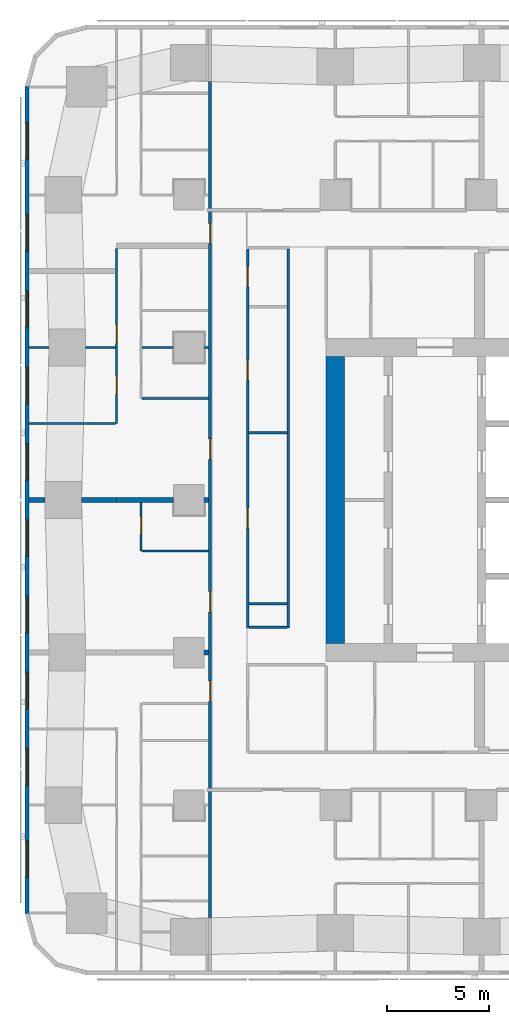
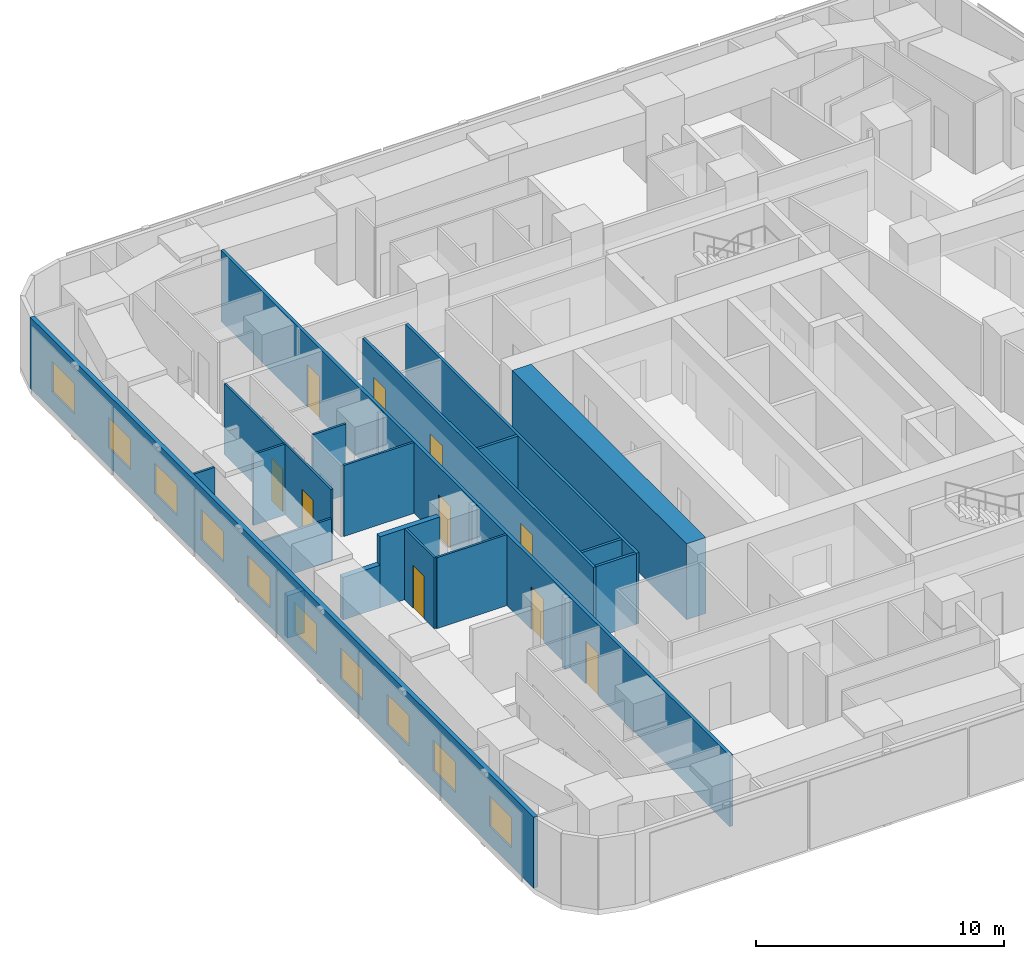
# One storey, part 4 of 15: 22 walls, 10 doors, 10 windows, 20 openings.
"""IFC4 building model written with IfcOpenShell, lengths in metres."""

from ifc_helpers import new_model, si_unit, direction, frame, frame_2d, origin, place, context, subcontext, project, spatial, rectangle, extrude, material, layer, layer_set, type_object, element, fill, save


model = new_model("IFC4")

# Units and contexts
model_context = context("Model", 3, precision=1e-05, world=origin(), true_north=direction((0.0, 1.0)))
body_context = subcontext(model_context, "Body", "Model", "MODEL_VIEW")
ifc_project = project(units=[si_unit("LENGTHUNIT", "METRE"), si_unit("AREAUNIT", "SQUARE_METRE"), si_unit("VOLUMEUNIT", "CUBIC_METRE"), si_unit("PLANEANGLEUNIT", "RADIAN"), si_unit("MASSUNIT", "GRAM", prefix="KILO")], contexts=[model_context])

# Site, building, storey
site_placement = place(None, origin())
site = spatial("IfcSite", under=ifc_project, at=site_placement, CompositionType="ELEMENT")
building_placement = place(site_placement, origin())
building = spatial("IfcBuilding", under=site, at=building_placement, Name="Sheger Commons Tower", CompositionType="ELEMENT")
storey_placement = place(building_placement, frame((0.0, 0.0, 177.050048828125)))
storey = spatial("IfcBuildingStorey", under=building, at=storey_placement, Name="L45", CompositionType="ELEMENT", Elevation=177.050048828125)

# Wall
ifc_material_1 = material(Name="Concrete C50/60", Category="concrete")
ifc_layer_1 = layer(ifc_material_1, 0.89990234375)
ifc_layer_set_1 = layer_set([ifc_layer_1], Name="CORE WALL 900")
wall_type_1 = type_object("IfcWallType", Name="CORE WALL 900", PredefinedType="SHEAR", material=ifc_layer_set_1)
wall_1_placement = place(storey_placement, frame((14.39990234375, 15.449951171875, 0.0), z_axis=(0.0, 0.0, 1.0), x_axis=(0.0, 1.0, 0.0)))
element("IfcWall", 1, at=wall_1_placement, inside=storey, type_object=wall_type_1, Name="Core wall west L45", PredefinedType="SHEAR", context=body_context, shape_type="SweptSolid", body=[
    extrude(rectangle(XDim=14.10009765625, YDim=0.89990234375, at=frame_2d((7.050048828125, 0.0))), origin(), (0.0, 0.0, 1.0), 3.75),
])

# Wall, openings, doors
ifc_material_2 = material(Name="Hollow concrete block masonry, skimmed both sides", Category="masonry")
ifc_layer_2 = layer(ifc_material_2, 0.14990234375)
ifc_layer_set_2 = layer_set([ifc_layer_2], Name="CORRIDOR WALL 150")
wall_type_2 = type_object("IfcWallType", Name="CORRIDOR WALL 150", PredefinedType="SOLIDWALL", material=ifc_layer_set_2)
wall_2_placement = place(storey_placement, frame((8.25, 1.95703125, 0.0), z_axis=(0.0, 0.0, 1.0), x_axis=(0.0, 1.0, 0.0)))
wall_2 = element("IfcWall", 2, at=wall_2_placement, inside=storey, type_object=wall_type_2, Name="Corridor wall L45", PredefinedType="SOLIDWALL", context=body_context, shape_type="SweptSolid", body=[
    extrude(rectangle(XDim=41.111083984375, YDim=0.14990234375, at=frame_2d((20.5556640625, 0.0))), origin(), (0.0, 0.0, 1.0), 3.5),
])
opening_1_placement = place(wall_2_placement, frame((10.64208984375, 0.0, 0.0)))
opening_1 = element("IfcOpeningElement", 3, at=opening_1_placement, cuts=wall_2, Name="Opening D1", PredefinedType="OPENING", context=body_context, shape_type="SweptSolid", body=[
    extrude(rectangle(XDim=1.0, YDim=2.10009765625, at=frame_2d((0.5, 1.050048828125))), frame((0.0, 0.0849609375, 0.0), z_axis=(0.0, -1.0, 0.0), x_axis=(1.0, 0.0, 0.0)), (0.0, 0.0, 1.0), 0.169921875),
])
opening_2_placement = place(wall_2_placement, frame((15.0419921875, 0.0, 0.0)))
opening_2 = element("IfcOpeningElement", 4, at=opening_2_placement, cuts=wall_2, Name="Opening D1", PredefinedType="OPENING", context=body_context, shape_type="SweptSolid", body=[
    extrude(rectangle(XDim=1.0, YDim=2.10009765625, at=frame_2d((0.5, 1.050048828125))), frame((0.0, 0.0849609375, 0.0), z_axis=(0.0, -1.0, 0.0), x_axis=(1.0, 0.0, 0.0)), (0.0, 0.0, 1.0), 0.169921875),
])
opening_3_placement = place(wall_2_placement, frame((22.54296875, 0.0, 0.0)))
opening_3 = element("IfcOpeningElement", 5, at=opening_3_placement, cuts=wall_2, Name="Opening D1", PredefinedType="OPENING", context=body_context, shape_type="SweptSolid", body=[
    extrude(rectangle(XDim=1.0, YDim=2.10009765625, at=frame_2d((0.5, 1.050048828125))), frame((0.0, 0.0849609375, 0.0), z_axis=(0.0, -1.0, 0.0), x_axis=(1.0, 0.0, 0.0)), (0.0, 0.0, 1.0), 0.169921875),
])
opening_4_placement = place(wall_2_placement, frame((33.14208984375, 0.0, 0.0)))
opening_4 = element("IfcOpeningElement", 6, at=opening_4_placement, cuts=wall_2, Name="Opening D1", PredefinedType="OPENING", context=body_context, shape_type="SweptSolid", body=[
    extrude(rectangle(XDim=1.0, YDim=2.10009765625, at=frame_2d((0.5, 1.050048828125))), frame((0.0, 0.0849609375, 0.0), z_axis=(0.0, -1.0, 0.0), x_axis=(1.0, 0.0, 0.0)), (0.0, 0.0, 1.0), 0.169921875),
])
ifc_material_3 = material(Name="Steel door set, fire rated", Category="steel")
door_type_1 = type_object("IfcDoorType", Name="FLAT ENTRANCE DOOR 1000x2100", OperationType="NOTDEFINED", PredefinedType="DOOR", material=ifc_material_3)
door_1_placement = place(opening_1_placement, origin())
door_1 = element("IfcDoor", 7, at=door_1_placement, inside=storey, type_object=door_type_1, Name="Flat entrance door", OperationType="SINGLE_SWING_LEFT", OverallHeight=2.10009765625, OverallWidth=1.0, PredefinedType="DOOR", context=body_context, shape_type="SweptSolid", body=[
    extrude(rectangle(XDim=1.0, YDim=2.10009765625, at=frame_2d((0.5, 1.050048828125))), frame((0.0, 0.02490234375, 0.0), z_axis=(0.0, -1.0, 0.0), x_axis=(1.0, 0.0, 0.0)), (0.0, 0.0, 1.0), 0.050048828125),
])
fill(opening_1, door_1)
door_2_placement = place(opening_2_placement, origin())
door_2 = element("IfcDoor", 8, at=door_2_placement, inside=storey, type_object=door_type_1, Name="Flat entrance door", OperationType="SINGLE_SWING_LEFT", OverallHeight=2.10009765625, OverallWidth=1.0, PredefinedType="DOOR", context=body_context, shape_type="SweptSolid", body=[
    extrude(rectangle(XDim=1.0, YDim=2.10009765625, at=frame_2d((0.5, 1.050048828125))), frame((0.0, 0.02490234375, 0.0), z_axis=(0.0, -1.0, 0.0), x_axis=(1.0, 0.0, 0.0)), (0.0, 0.0, 1.0), 0.050048828125),
])
fill(opening_2, door_2)
door_3_placement = place(opening_3_placement, origin())
door_3 = element("IfcDoor", 9, at=door_3_placement, inside=storey, type_object=door_type_1, Name="Flat entrance door", OperationType="SINGLE_SWING_LEFT", OverallHeight=2.10009765625, OverallWidth=1.0, PredefinedType="DOOR", context=body_context, shape_type="SweptSolid", body=[
    extrude(rectangle(XDim=1.0, YDim=2.10009765625, at=frame_2d((0.5, 1.050048828125))), frame((0.0, 0.02490234375, 0.0), z_axis=(0.0, -1.0, 0.0), x_axis=(1.0, 0.0, 0.0)), (0.0, 0.0, 1.0), 0.050048828125),
])
fill(opening_3, door_3)
door_4_placement = place(opening_4_placement, origin())
door_4 = element("IfcDoor", 10, at=door_4_placement, inside=storey, type_object=door_type_1, Name="Flat entrance door", OperationType="SINGLE_SWING_LEFT", OverallHeight=2.10009765625, OverallWidth=1.0, PredefinedType="DOOR", context=body_context, shape_type="SweptSolid", body=[
    extrude(rectangle(XDim=1.0, YDim=2.10009765625, at=frame_2d((0.5, 1.050048828125))), frame((0.0, 0.02490234375, 0.0), z_axis=(0.0, -1.0, 0.0), x_axis=(1.0, 0.0, 0.0)), (0.0, 0.0, 1.0), 0.050048828125),
])
fill(opening_4, door_4)

# Walls
ifc_material_4 = material(Name="Dense concrete block masonry, plastered both sides (separating wall between flats)", Category="masonry")
ifc_layer_3 = layer(ifc_material_4, 0.25)
ifc_layer_set_3 = layer_set([ifc_layer_3], Name="DEMISING WALL 250")
wall_type_3 = type_object("IfcWallType", Name="DEMISING WALL 250", PredefinedType="SOLIDWALL", material=ifc_layer_set_3)
wall_3_placement = place(storey_placement, frame((7.950927734375, 15.0, 0.0), z_axis=(0.0, 0.0, 1.0), x_axis=(1.0, 0.0, 0.0)))
element("IfcWall", 11, at=wall_3_placement, inside=storey, type_object=wall_type_3, Name="Demising wall L45", PredefinedType="SOLIDWALL", context=body_context, shape_type="SweptSolid", body=[
    extrude(rectangle(XDim=0.22412109375, YDim=0.25, at=frame_2d((0.112060546875, 0.0))), origin(), (0.0, 0.0, 1.0), 3.5),
])
wall_4_placement = place(storey_placement, frame((-0.64990234375, 22.5, 0.0), z_axis=(0.0, 0.0, 1.0), x_axis=(1.0, 0.0, 0.0)))
element("IfcWall", 12, at=wall_4_placement, inside=storey, type_object=wall_type_3, Name="Demising wall L45", PredefinedType="SOLIDWALL", context=body_context, shape_type="SweptSolid", body=[
    extrude(rectangle(XDim=0.77392578125, YDim=0.25, at=frame_2d((0.386962890625, 0.0))), origin(), (0.0, 0.0, 1.0), 2.099853515625),
])
wall_5_placement = place(storey_placement, frame((1.926025390625, 22.5, 0.0), z_axis=(0.0, 0.0, 1.0), x_axis=(1.0, 0.0, 0.0)))
element("IfcWall", 13, at=wall_5_placement, inside=storey, type_object=wall_type_3, Name="Demising wall L45", PredefinedType="SOLIDWALL", context=body_context, shape_type="SweptSolid", body=[
    extrude(rectangle(XDim=1.723876953125, YDim=0.25, at=frame_2d((0.86181640625, 0.0))), origin(), (0.0, 0.0, 1.0), 2.099853515625),
])
wall_6_placement = place(storey_placement, frame((3.64990234375, 22.5, 0.0), z_axis=(0.0, 0.0, 1.0), x_axis=(1.0, 0.0, 0.0)))
element("IfcWall", 14, at=wall_6_placement, inside=storey, type_object=wall_type_3, Name="Demising wall L45", PredefinedType="SOLIDWALL", context=body_context, shape_type="SweptSolid", body=[
    extrude(rectangle(XDim=2.799072265625, YDim=0.25, at=frame_2d((1.3994140625, 0.0))), origin(), (0.0, 0.0, 1.0), 3.5),
])
wall_7_placement = place(storey_placement, frame((7.950927734375, 22.5, 0.0), z_axis=(0.0, 0.0, 1.0), x_axis=(1.0, 0.0, 0.0)))
element("IfcWall", 15, at=wall_7_placement, inside=storey, type_object=wall_type_3, Name="Demising wall L45", PredefinedType="SOLIDWALL", context=body_context, shape_type="SweptSolid", body=[
    extrude(rectangle(XDim=0.22412109375, YDim=0.25, at=frame_2d((0.112060546875, 0.0))), origin(), (0.0, 0.0, 1.0), 3.5),
])

# Wall, openings, windows
ifc_material_5 = material(Name="Rendered concrete block masonry, dark grey", Category="masonry")
ifc_layer_4 = layer(ifc_material_5, 0.199951171875)
ifc_layer_set_4 = layer_set([ifc_layer_4], Name="FACADE WALL 200")
wall_type_4 = type_object("IfcWallType", Name="FACADE WALL 200", PredefinedType="SOLIDWALL", material=ifc_layer_set_4)
wall_8_placement = place(storey_placement, frame((-0.75, 42.8369140625, 0.0), z_axis=(0.0, 0.0, 1.0), x_axis=(0.0, -1.0, 0.0)))
wall_8 = element("IfcWall", 16, at=wall_8_placement, inside=storey, type_object=wall_type_4, Name="Facade wall L45", PredefinedType="SOLIDWALL", context=body_context, shape_type="SweptSolid", body=[
    extrude(rectangle(XDim=40.673828125, YDim=0.199951171875, at=frame_2d((20.3369140625, 0.0))), origin(), (0.0, 0.0, 1.0), 3.5),
])
opening_5_placement = place(wall_8_placement, frame((1.780029296875, 0.0, 0.89990234375)))
opening_5 = element("IfcOpeningElement", 17, at=opening_5_placement, cuts=wall_8, Name="Opening W2", PredefinedType="OPENING", context=body_context, shape_type="SweptSolid", body=[
    extrude(rectangle(XDim=1.800048828125, YDim=1.5, at=frame_2d((0.89990234375, 0.75))), frame((0.0, 0.10986328125, 0.0), z_axis=(0.0, -1.0, 0.0), x_axis=(1.0, 0.0, 0.0)), (0.0, 0.0, 1.0), 0.219970703125),
])
opening_6_placement = place(wall_8_placement, frame((6.31201171875, 0.0, 0.89990234375)))
opening_6 = element("IfcOpeningElement", 18, at=opening_6_placement, cuts=wall_8, Name="Opening W2", PredefinedType="OPENING", context=body_context, shape_type="SweptSolid", body=[
    extrude(rectangle(XDim=1.800048828125, YDim=1.5, at=frame_2d((0.89990234375, 0.75))), frame((0.0, 0.10986328125, 0.0), z_axis=(0.0, -1.0, 0.0), x_axis=(1.0, 0.0, 0.0)), (0.0, 0.0, 1.0), 0.219970703125),
])
opening_7_placement = place(wall_8_placement, frame((10.06201171875, 0.0, 0.89990234375)))
opening_7 = element("IfcOpeningElement", 19, at=opening_7_placement, cuts=wall_8, Name="Opening W2", PredefinedType="OPENING", context=body_context, shape_type="SweptSolid", body=[
    extrude(rectangle(XDim=1.800048828125, YDim=1.5, at=frame_2d((0.89990234375, 0.75))), frame((0.0, 0.10986328125, 0.0), z_axis=(0.0, -1.0, 0.0), x_axis=(1.0, 0.0, 0.0)), (0.0, 0.0, 1.0), 0.219970703125),
])
opening_8_placement = place(wall_8_placement, frame((13.81201171875, 0.0, 0.89990234375)))
opening_8 = element("IfcOpeningElement", 20, at=opening_8_placement, cuts=wall_8, Name="Opening W2", PredefinedType="OPENING", context=body_context, shape_type="SweptSolid", body=[
    extrude(rectangle(XDim=1.800048828125, YDim=1.5, at=frame_2d((0.89990234375, 0.75))), frame((0.0, 0.10986328125, 0.0), z_axis=(0.0, -1.0, 0.0), x_axis=(1.0, 0.0, 0.0)), (0.0, 0.0, 1.0), 0.219970703125),
])
opening_9_placement = place(wall_8_placement, frame((17.56201171875, 0.0, 0.89990234375)))
opening_9 = element("IfcOpeningElement", 21, at=opening_9_placement, cuts=wall_8, Name="Opening W2", PredefinedType="OPENING", context=body_context, shape_type="SweptSolid", body=[
    extrude(rectangle(XDim=1.800048828125, YDim=1.5, at=frame_2d((0.89990234375, 0.75))), frame((0.0, 0.10986328125, 0.0), z_axis=(0.0, -1.0, 0.0), x_axis=(1.0, 0.0, 0.0)), (0.0, 0.0, 1.0), 0.219970703125),
])
opening_10_placement = place(wall_8_placement, frame((21.31201171875, 0.0, 0.89990234375)))
opening_10 = element("IfcOpeningElement", 22, at=opening_10_placement, cuts=wall_8, Name="Opening W2", PredefinedType="OPENING", context=body_context, shape_type="SweptSolid", body=[
    extrude(rectangle(XDim=1.800048828125, YDim=1.5, at=frame_2d((0.89990234375, 0.75))), frame((0.0, 0.10986328125, 0.0), z_axis=(0.0, -1.0, 0.0), x_axis=(1.0, 0.0, 0.0)), (0.0, 0.0, 1.0), 0.219970703125),
])
opening_11_placement = place(wall_8_placement, frame((25.06201171875, 0.0, 0.89990234375)))
opening_11 = element("IfcOpeningElement", 23, at=opening_11_placement, cuts=wall_8, Name="Opening W2", PredefinedType="OPENING", context=body_context, shape_type="SweptSolid", body=[
    extrude(rectangle(XDim=1.800048828125, YDim=1.5, at=frame_2d((0.89990234375, 0.75))), frame((0.0, 0.10986328125, 0.0), z_axis=(0.0, -1.0, 0.0), x_axis=(1.0, 0.0, 0.0)), (0.0, 0.0, 1.0), 0.219970703125),
])
opening_12_placement = place(wall_8_placement, frame((28.81201171875, 0.0, 0.89990234375)))
opening_12 = element("IfcOpeningElement", 24, at=opening_12_placement, cuts=wall_8, Name="Opening W2", PredefinedType="OPENING", context=body_context, shape_type="SweptSolid", body=[
    extrude(rectangle(XDim=1.800048828125, YDim=1.5, at=frame_2d((0.89990234375, 0.75))), frame((0.0, 0.10986328125, 0.0), z_axis=(0.0, -1.0, 0.0), x_axis=(1.0, 0.0, 0.0)), (0.0, 0.0, 1.0), 0.219970703125),
])
opening_13_placement = place(wall_8_placement, frame((32.56201171875, 0.0, 0.89990234375)))
opening_13 = element("IfcOpeningElement", 25, at=opening_13_placement, cuts=wall_8, Name="Opening W2", PredefinedType="OPENING", context=body_context, shape_type="SweptSolid", body=[
    extrude(rectangle(XDim=1.800048828125, YDim=1.5, at=frame_2d((0.89990234375, 0.75))), frame((0.0, 0.10986328125, 0.0), z_axis=(0.0, -1.0, 0.0), x_axis=(1.0, 0.0, 0.0)), (0.0, 0.0, 1.0), 0.219970703125),
])
opening_14_placement = place(wall_8_placement, frame((37.093994140625, 0.0, 0.89990234375)))
opening_14 = element("IfcOpeningElement", 26, at=opening_14_placement, cuts=wall_8, Name="Opening W2", PredefinedType="OPENING", context=body_context, shape_type="SweptSolid", body=[
    extrude(rectangle(XDim=1.800048828125, YDim=1.5, at=frame_2d((0.89990234375, 0.75))), frame((0.0, 0.10986328125, 0.0), z_axis=(0.0, -1.0, 0.0), x_axis=(1.0, 0.0, 0.0)), (0.0, 0.0, 1.0), 0.219970703125),
])
ifc_material_6 = material(Name="Black aluminium frame, dark tinted double glazing", Category="aluminium")
window_type = type_object("IfcWindowType", Name="WINDOW W2 1800x1500", PartitioningType="SINGLE_PANEL", PredefinedType="WINDOW", material=ifc_material_6)
window_1_placement = place(opening_5_placement, origin())
window_1 = element("IfcWindow", 27, at=window_1_placement, inside=storey, type_object=window_type, Name="Window W2 1800X1500", OverallHeight=1.5, OverallWidth=1.800048828125, PartitioningType="SINGLE_PANEL", PredefinedType="WINDOW", context=body_context, shape_type="SweptSolid", body=[
    extrude(rectangle(XDim=1.800048828125, YDim=1.5, at=frame_2d((0.89990234375, 0.75))), frame((0.0, 0.030029296875, 0.0), z_axis=(0.0, -1.0, 0.0), x_axis=(1.0, 0.0, 0.0)), (0.0, 0.0, 1.0), 0.06005859375),
])
fill(opening_5, window_1)
window_2_placement = place(opening_6_placement, origin())
window_2 = element("IfcWindow", 28, at=window_2_placement, inside=storey, type_object=window_type, Name="Window W2 1800X1500", OverallHeight=1.5, OverallWidth=1.800048828125, PartitioningType="SINGLE_PANEL", PredefinedType="WINDOW", context=body_context, shape_type="SweptSolid", body=[
    extrude(rectangle(XDim=1.800048828125, YDim=1.5, at=frame_2d((0.89990234375, 0.75))), frame((0.0, 0.030029296875, 0.0), z_axis=(0.0, -1.0, 0.0), x_axis=(1.0, 0.0, 0.0)), (0.0, 0.0, 1.0), 0.06005859375),
])
fill(opening_6, window_2)
window_3_placement = place(opening_7_placement, origin())
window_3 = element("IfcWindow", 29, at=window_3_placement, inside=storey, type_object=window_type, Name="Window W2 1800X1500", OverallHeight=1.5, OverallWidth=1.800048828125, PartitioningType="SINGLE_PANEL", PredefinedType="WINDOW", context=body_context, shape_type="SweptSolid", body=[
    extrude(rectangle(XDim=1.800048828125, YDim=1.5, at=frame_2d((0.89990234375, 0.75))), frame((0.0, 0.030029296875, 0.0), z_axis=(0.0, -1.0, 0.0), x_axis=(1.0, 0.0, 0.0)), (0.0, 0.0, 1.0), 0.06005859375),
])
fill(opening_7, window_3)
window_4_placement = place(opening_8_placement, origin())
window_4 = element("IfcWindow", 30, at=window_4_placement, inside=storey, type_object=window_type, Name="Window W2 1800X1500", OverallHeight=1.5, OverallWidth=1.800048828125, PartitioningType="SINGLE_PANEL", PredefinedType="WINDOW", context=body_context, shape_type="SweptSolid", body=[
    extrude(rectangle(XDim=1.800048828125, YDim=1.5, at=frame_2d((0.89990234375, 0.75))), frame((0.0, 0.030029296875, 0.0), z_axis=(0.0, -1.0, 0.0), x_axis=(1.0, 0.0, 0.0)), (0.0, 0.0, 1.0), 0.06005859375),
])
fill(opening_8, window_4)
window_5_placement = place(opening_9_placement, origin())
window_5 = element("IfcWindow", 31, at=window_5_placement, inside=storey, type_object=window_type, Name="Window W2 1800X1500", OverallHeight=1.5, OverallWidth=1.800048828125, PartitioningType="SINGLE_PANEL", PredefinedType="WINDOW", context=body_context, shape_type="SweptSolid", body=[
    extrude(rectangle(XDim=1.800048828125, YDim=1.5, at=frame_2d((0.89990234375, 0.75))), frame((0.0, 0.030029296875, 0.0), z_axis=(0.0, -1.0, 0.0), x_axis=(1.0, 0.0, 0.0)), (0.0, 0.0, 1.0), 0.06005859375),
])
fill(opening_9, window_5)
window_6_placement = place(opening_10_placement, origin())
window_6 = element("IfcWindow", 32, at=window_6_placement, inside=storey, type_object=window_type, Name="Window W2 1800X1500", OverallHeight=1.5, OverallWidth=1.800048828125, PartitioningType="SINGLE_PANEL", PredefinedType="WINDOW", context=body_context, shape_type="SweptSolid", body=[
    extrude(rectangle(XDim=1.800048828125, YDim=1.5, at=frame_2d((0.89990234375, 0.75))), frame((0.0, 0.030029296875, 0.0), z_axis=(0.0, -1.0, 0.0), x_axis=(1.0, 0.0, 0.0)), (0.0, 0.0, 1.0), 0.06005859375),
])
fill(opening_10, window_6)
window_7_placement = place(opening_11_placement, origin())
window_7 = element("IfcWindow", 33, at=window_7_placement, inside=storey, type_object=window_type, Name="Window W2 1800X1500", OverallHeight=1.5, OverallWidth=1.800048828125, PartitioningType="SINGLE_PANEL", PredefinedType="WINDOW", context=body_context, shape_type="SweptSolid", body=[
    extrude(rectangle(XDim=1.800048828125, YDim=1.5, at=frame_2d((0.89990234375, 0.75))), frame((0.0, 0.030029296875, 0.0), z_axis=(0.0, -1.0, 0.0), x_axis=(1.0, 0.0, 0.0)), (0.0, 0.0, 1.0), 0.06005859375),
])
fill(opening_11, window_7)
window_8_placement = place(opening_12_placement, origin())
window_8 = element("IfcWindow", 34, at=window_8_placement, inside=storey, type_object=window_type, Name="Window W2 1800X1500", OverallHeight=1.5, OverallWidth=1.800048828125, PartitioningType="SINGLE_PANEL", PredefinedType="WINDOW", context=body_context, shape_type="SweptSolid", body=[
    extrude(rectangle(XDim=1.800048828125, YDim=1.5, at=frame_2d((0.89990234375, 0.75))), frame((0.0, 0.030029296875, 0.0), z_axis=(0.0, -1.0, 0.0), x_axis=(1.0, 0.0, 0.0)), (0.0, 0.0, 1.0), 0.06005859375),
])
fill(opening_12, window_8)
window_9_placement = place(opening_13_placement, origin())
window_9 = element("IfcWindow", 35, at=window_9_placement, inside=storey, type_object=window_type, Name="Window W2 1800X1500", OverallHeight=1.5, OverallWidth=1.800048828125, PartitioningType="SINGLE_PANEL", PredefinedType="WINDOW", context=body_context, shape_type="SweptSolid", body=[
    extrude(rectangle(XDim=1.800048828125, YDim=1.5, at=frame_2d((0.89990234375, 0.75))), frame((0.0, 0.030029296875, 0.0), z_axis=(0.0, -1.0, 0.0), x_axis=(1.0, 0.0, 0.0)), (0.0, 0.0, 1.0), 0.06005859375),
])
fill(opening_13, window_9)
window_10_placement = place(opening_14_placement, origin())
window_10 = element("IfcWindow", 36, at=window_10_placement, inside=storey, type_object=window_type, Name="Window W2 1800X1500", OverallHeight=1.5, OverallWidth=1.800048828125, PartitioningType="SINGLE_PANEL", PredefinedType="WINDOW", context=body_context, shape_type="SweptSolid", body=[
    extrude(rectangle(XDim=1.800048828125, YDim=1.5, at=frame_2d((0.89990234375, 0.75))), frame((0.0, 0.030029296875, 0.0), z_axis=(0.0, -1.0, 0.0), x_axis=(1.0, 0.0, 0.0)), (0.0, 0.0, 1.0), 0.06005859375),
])
fill(opening_14, window_10)

# Wall, opening, door
ifc_material_7 = material(Name="Gypsum board on steel studs", Category="steel")
ifc_layer_5 = layer(ifc_material_7, 0.10009765625)
ifc_layer_set_5 = layer_set([ifc_layer_5], Name="PARTITION 100")
wall_type_5 = type_object("IfcWallType", Name="PARTITION 100", PredefinedType="PARTITIONING", material=ifc_layer_set_5)
wall_9_placement = place(storey_placement, frame((4.85009765625, 19.9990234375, 0.0), z_axis=(0.0, 0.0, 1.0), x_axis=(0.0, 1.0, 0.0)))
wall_9 = element("IfcWall", 37, at=wall_9_placement, inside=storey, type_object=wall_type_5, Name="Partition L45", PredefinedType="PARTITIONING", context=body_context, shape_type="SweptSolid", body=[
    extrude(rectangle(XDim=2.3759765625, YDim=0.10009765625, at=frame_2d((1.18798828125, 0.0))), origin(), (0.0, 0.0, 1.0), 3.5),
])
opening_15_placement = place(wall_9_placement, frame((0.800048828125, 0.0, 0.0)))
opening_15 = element("IfcOpeningElement", 38, at=opening_15_placement, cuts=wall_9, Name="Opening D2", PredefinedType="OPENING", context=body_context, shape_type="SweptSolid", body=[
    extrude(rectangle(XDim=0.89990234375, YDim=2.10009765625, at=frame_2d((0.449951171875, 1.050048828125))), frame((0.0, 0.06005859375, 0.0), z_axis=(0.0, -1.0, 0.0), x_axis=(1.0, 0.0, 0.0)), (0.0, 0.0, 1.0), 0.1201171875),
])
ifc_material_8 = material(Name="Timber door set", Category="wood")
door_type_2 = type_object("IfcDoorType", Name="INTERNAL DOOR 900x2100", OperationType="NOTDEFINED", PredefinedType="DOOR", material=ifc_material_8)
door_5_placement = place(opening_15_placement, origin())
door_5 = element("IfcDoor", 39, at=door_5_placement, inside=storey, type_object=door_type_2, Name="Bathroom door", OperationType="SINGLE_SWING_LEFT", OverallHeight=2.10009765625, OverallWidth=0.89990234375, PredefinedType="DOOR", context=body_context, shape_type="SweptSolid", body=[
    extrude(rectangle(XDim=0.89990234375, YDim=2.10009765625, at=frame_2d((0.449951171875, 1.050048828125))), frame((0.0, 0.02490234375, 0.0), z_axis=(0.0, -1.0, 0.0), x_axis=(1.0, 0.0, 0.0)), (0.0, 0.0, 1.0), 0.050048828125),
])
fill(opening_15, door_5)

# Wall
wall_10_placement = place(storey_placement, frame((4.89990234375, 19.9990234375, 0.0), z_axis=(0.0, 0.0, 1.0), x_axis=(1.0, 0.0, 0.0)))
element("IfcWall", 40, at=wall_10_placement, inside=storey, type_object=wall_type_5, Name="Partition L45", PredefinedType="PARTITIONING", context=body_context, shape_type="SweptSolid", body=[
    extrude(rectangle(XDim=3.275146484375, YDim=0.10009765625, at=frame_2d((1.6376953125, 0.0))), origin(), (0.0, 0.0, 1.0), 3.5),
])

# Wall, openings, doors
wall_11_placement = place(storey_placement, frame((3.64990234375, 26.25, 0.0), z_axis=(0.0, 0.0, 1.0), x_axis=(0.0, 1.0, 0.0)))
wall_11 = element("IfcWall", 41, at=wall_11_placement, inside=storey, type_object=wall_type_5, Name="Partition L45", PredefinedType="PARTITIONING", context=body_context, shape_type="SweptSolid", body=[
    extrude(rectangle(XDim=8.6240234375, YDim=0.10009765625, at=frame_2d((4.31201171875, 0.0))), origin(), (0.0, 0.0, 1.0), 3.5),
])
opening_16_placement = place(wall_11_placement, frame((1.448974609375, 0.0, 0.0)))
opening_16 = element("IfcOpeningElement", 42, at=opening_16_placement, cuts=wall_11, Name="Opening D2", PredefinedType="OPENING", context=body_context, shape_type="SweptSolid", body=[
    extrude(rectangle(XDim=0.89990234375, YDim=2.10009765625, at=frame_2d((0.449951171875, 1.050048828125))), frame((0.0, 0.06005859375, 0.0), z_axis=(0.0, -1.0, 0.0), x_axis=(1.0, 0.0, 0.0)), (0.0, 0.0, 1.0), 0.1201171875),
])
opening_17_placement = place(wall_11_placement, frame((3.949951171875, 0.0, 0.0)))
opening_17 = element("IfcOpeningElement", 43, at=opening_17_placement, cuts=wall_11, Name="Opening D2", PredefinedType="OPENING", context=body_context, shape_type="SweptSolid", body=[
    extrude(rectangle(XDim=0.89990234375, YDim=2.10009765625, at=frame_2d((0.449951171875, 1.050048828125))), frame((0.0, 0.06005859375, 0.0), z_axis=(0.0, -1.0, 0.0), x_axis=(1.0, 0.0, 0.0)), (0.0, 0.0, 1.0), 0.1201171875),
])
door_6_placement = place(opening_16_placement, origin())
door_6 = element("IfcDoor", 44, at=door_6_placement, inside=storey, type_object=door_type_2, Name="Main bedroom door", OperationType="SINGLE_SWING_LEFT", OverallHeight=2.10009765625, OverallWidth=0.89990234375, PredefinedType="DOOR", context=body_context, shape_type="SweptSolid", body=[
    extrude(rectangle(XDim=0.89990234375, YDim=2.10009765625, at=frame_2d((0.449951171875, 1.050048828125))), frame((0.0, 0.02490234375, 0.0), z_axis=(0.0, -1.0, 0.0), x_axis=(1.0, 0.0, 0.0)), (0.0, 0.0, 1.0), 0.050048828125),
])
fill(opening_16, door_6)
door_7_placement = place(opening_17_placement, origin())
door_7 = element("IfcDoor", 45, at=door_7_placement, inside=storey, type_object=door_type_2, Name="Bedroom 2 door", OperationType="SINGLE_SWING_LEFT", OverallHeight=2.10009765625, OverallWidth=0.89990234375, PredefinedType="DOOR", context=body_context, shape_type="SweptSolid", body=[
    extrude(rectangle(XDim=0.89990234375, YDim=2.10009765625, at=frame_2d((0.449951171875, 1.050048828125))), frame((0.0, 0.02490234375, 0.0), z_axis=(0.0, -1.0, 0.0), x_axis=(1.0, 0.0, 0.0)), (0.0, 0.0, 1.0), 0.050048828125),
])
fill(opening_17, door_7)

# Walls
wall_12_placement = place(storey_placement, frame((-0.64990234375, 26.25, 0.0), z_axis=(0.0, 0.0, 1.0), x_axis=(1.0, 0.0, 0.0)))
element("IfcWall", 46, at=wall_12_placement, inside=storey, type_object=wall_type_5, Name="Partition L45", PredefinedType="PARTITIONING", context=body_context, shape_type="SweptSolid", body=[
    extrude(rectangle(XDim=4.25, YDim=0.10009765625, at=frame_2d((2.125, 0.0))), origin(), (0.0, 0.0, 1.0), 2.099853515625),
])
wall_13_placement = place(storey_placement, frame((-0.64990234375, 30.0, 0.0), z_axis=(0.0, 0.0, 1.0), x_axis=(1.0, 0.0, 0.0)))
element("IfcWall", 47, at=wall_13_placement, inside=storey, type_object=wall_type_5, Name="Partition L45", PredefinedType="PARTITIONING", context=body_context, shape_type="SweptSolid", body=[
    extrude(rectangle(XDim=0.973876953125, YDim=0.10009765625, at=frame_2d((0.48681640625, 0.0))), origin(), (0.0, 0.0, 1.0), 3.5),
])
wall_14_placement = place(storey_placement, frame((2.1259765625, 30.0, 0.0), z_axis=(0.0, 0.0, 1.0), x_axis=(1.0, 0.0, 0.0)))
element("IfcWall", 48, at=wall_14_placement, inside=storey, type_object=wall_type_5, Name="Partition L45", PredefinedType="PARTITIONING", context=body_context, shape_type="SweptSolid", body=[
    extrude(rectangle(XDim=1.47412109375, YDim=0.10009765625, at=frame_2d((0.737060546875, 0.0))), origin(), (0.0, 0.0, 1.0), 3.5),
])
wall_15_placement = place(storey_placement, frame((4.89990234375, 27.4990234375, 0.0), z_axis=(0.0, 0.0, 1.0), x_axis=(1.0, 0.0, 0.0)))
element("IfcWall", 49, at=wall_15_placement, inside=storey, type_object=wall_type_5, Name="Partition L45", PredefinedType="PARTITIONING", context=body_context, shape_type="SweptSolid", body=[
    extrude(rectangle(XDim=3.275146484375, YDim=0.10009765625, at=frame_2d((1.6376953125, 0.0))), origin(), (0.0, 0.0, 1.0), 3.5),
])
wall_16_placement = place(storey_placement, frame((4.89990234375, 30.0, 0.0), z_axis=(0.0, 0.0, 1.0), x_axis=(1.0, 0.0, 0.0)))
element("IfcWall", 50, at=wall_16_placement, inside=storey, type_object=wall_type_5, Name="Partition L45", PredefinedType="PARTITIONING", context=body_context, shape_type="SweptSolid", body=[
    extrude(rectangle(XDim=1.549072265625, YDim=0.10009765625, at=frame_2d((0.7744140625, 0.0))), origin(), (0.0, 0.0, 1.0), 3.5),
])
wall_17_placement = place(storey_placement, frame((7.950927734375, 30.0, 0.0), z_axis=(0.0, 0.0, 1.0), x_axis=(1.0, 0.0, 0.0)))
element("IfcWall", 51, at=wall_17_placement, inside=storey, type_object=wall_type_5, Name="Partition L45", PredefinedType="PARTITIONING", context=body_context, shape_type="SweptSolid", body=[
    extrude(rectangle(XDim=0.22412109375, YDim=0.10009765625, at=frame_2d((0.112060546875, 0.0))), origin(), (0.0, 0.0, 1.0), 3.5),
])

# Wall, openings, doors
ifc_material_9 = material(Name="Gypsum board on steel studs, two layers each side, fire rated", Category="steel")
ifc_layer_6 = layer(ifc_material_9, 0.125)
ifc_layer_set_6 = layer_set([ifc_layer_6], Name="SERVICE WALL 125")
wall_type_6 = type_object("IfcWallType", Name="SERVICE WALL 125", PredefinedType="PARTITIONING", material=ifc_layer_set_6)
wall_18_placement = place(storey_placement, frame((10.10009765625, 16.199951171875, 0.0), z_axis=(0.0, 0.0, 1.0), x_axis=(0.0, 1.0, 0.0)))
wall_18 = element("IfcWall", 52, at=wall_18_placement, inside=storey, type_object=wall_type_6, Name="Service room wall L45", PredefinedType="PARTITIONING", context=body_context, shape_type="SweptSolid", body=[
    extrude(rectangle(XDim=18.637939453125, YDim=0.125, at=frame_2d((9.31884765625, 0.0))), origin(), (0.0, 0.0, 1.0), 3.5),
])
opening_18_placement = place(wall_18_placement, frame((4.89990234375, 0.0, 0.0)))
opening_18 = element("IfcOpeningElement", 53, at=opening_18_placement, cuts=wall_18, Name="Opening D4", PredefinedType="OPENING", context=body_context, shape_type="SweptSolid", body=[
    extrude(rectangle(XDim=1.0, YDim=2.10009765625, at=frame_2d((0.5, 1.050048828125))), frame((0.0, 0.072509765625, 0.0), z_axis=(0.0, -1.0, 0.0), x_axis=(1.0, 0.0, 0.0)), (0.0, 0.0, 1.0), 0.14501953125),
])
opening_19_placement = place(wall_18_placement, frame((12.199951171875, 0.0, 0.0)))
opening_19 = element("IfcOpeningElement", 54, at=opening_19_placement, cuts=wall_18, Name="Opening D4", PredefinedType="OPENING", context=body_context, shape_type="SweptSolid", body=[
    extrude(rectangle(XDim=1.0, YDim=2.10009765625, at=frame_2d((0.5, 1.050048828125))), frame((0.0, 0.072509765625, 0.0), z_axis=(0.0, -1.0, 0.0), x_axis=(1.0, 0.0, 0.0)), (0.0, 0.0, 1.0), 0.14501953125),
])
opening_20_placement = place(wall_18_placement, frame((16.77490234375, 0.0, 0.0)))
opening_20 = element("IfcOpeningElement", 55, at=opening_20_placement, cuts=wall_18, Name="Opening D4", PredefinedType="OPENING", context=body_context, shape_type="SweptSolid", body=[
    extrude(rectangle(XDim=1.0, YDim=2.10009765625, at=frame_2d((0.5, 1.050048828125))), frame((0.0, 0.072509765625, 0.0), z_axis=(0.0, -1.0, 0.0), x_axis=(1.0, 0.0, 0.0)), (0.0, 0.0, 1.0), 0.14501953125),
])
ifc_material_10 = material(Name="Steel door set, fire rated", Category="steel")
door_type_3 = type_object("IfcDoorType", Name="SERVICE DOOR 1000x2100", OperationType="NOTDEFINED", PredefinedType="DOOR", material=ifc_material_10)
door_8_placement = place(opening_18_placement, origin())
door_8 = element("IfcDoor", 56, at=door_8_placement, inside=storey, type_object=door_type_3, Name="Residents' store door", OperationType="SINGLE_SWING_LEFT", OverallHeight=2.10009765625, OverallWidth=1.0, PredefinedType="DOOR", context=body_context, shape_type="SweptSolid", body=[
    extrude(rectangle(XDim=1.0, YDim=2.10009765625, at=frame_2d((0.5, 1.050048828125))), frame((0.0, 0.02490234375, 0.0), z_axis=(0.0, -1.0, 0.0), x_axis=(1.0, 0.0, 0.0)), (0.0, 0.0, 1.0), 0.050048828125),
])
fill(opening_18, door_8)
door_9_placement = place(opening_19_placement, origin())
door_9 = element("IfcDoor", 57, at=door_9_placement, inside=storey, type_object=door_type_3, Name="Cleaner's store door", OperationType="SINGLE_SWING_LEFT", OverallHeight=2.10009765625, OverallWidth=1.0, PredefinedType="DOOR", context=body_context, shape_type="SweptSolid", body=[
    extrude(rectangle(XDim=1.0, YDim=2.10009765625, at=frame_2d((0.5, 1.050048828125))), frame((0.0, 0.02490234375, 0.0), z_axis=(0.0, -1.0, 0.0), x_axis=(1.0, 0.0, 0.0)), (0.0, 0.0, 1.0), 0.050048828125),
])
fill(opening_19, door_9)
door_10_placement = place(opening_20_placement, origin())
door_10 = element("IfcDoor", 58, at=door_10_placement, inside=storey, type_object=door_type_3, Name="Linen store door", OperationType="SINGLE_SWING_LEFT", OverallHeight=2.10009765625, OverallWidth=1.0, PredefinedType="DOOR", context=body_context, shape_type="SweptSolid", body=[
    extrude(rectangle(XDim=1.0, YDim=2.10009765625, at=frame_2d((0.5, 1.050048828125))), frame((0.0, 0.02490234375, 0.0), z_axis=(0.0, -1.0, 0.0), x_axis=(1.0, 0.0, 0.0)), (0.0, 0.0, 1.0), 0.050048828125),
])
fill(opening_20, door_10)

# Walls
for number, where, z_axis, x_axis, name in (
    (59, (10.162109375, 17.39990234375, 0.0), (0.0, 0.0, 1.0), (1.0, 0.0, 0.0), "Service room wall L45"),
    (60, (10.162109375, 25.800048828125, 0.0), (0.0, 0.0, 1.0), (1.0, 0.0, 0.0), "Service room wall L45"),
):
    element("IfcWall", number, at=place(storey_placement, frame(where, z_axis=z_axis, x_axis=x_axis)), inside=storey, type_object=wall_type_6, Name=name, PredefinedType="PARTITIONING", context=body_context, shape_type="SweptSolid", body=[
        extrude(rectangle(XDim=1.875, YDim=0.125, at=frame_2d((0.9375, 0.0))), origin(), (0.0, 0.0, 1.0), 3.5),
    ])
wall_19_placement = place(storey_placement, frame((12.10009765625, 16.199951171875, 0.0), z_axis=(0.0, 0.0, 1.0), x_axis=(0.0, 1.0, 0.0)))
element("IfcWall", 61, at=wall_19_placement, inside=storey, type_object=wall_type_6, Name="Service room wall L45", PredefinedType="PARTITIONING", context=body_context, shape_type="SweptSolid", body=[
    extrude(rectangle(XDim=18.636962890625, YDim=0.125, at=frame_2d((9.318359375, 0.0))), origin(), (0.0, 0.0, 1.0), 3.5),
])
wall_20_placement = place(storey_placement, frame((10.162109375, 16.25, 0.0), z_axis=(0.0, 0.0, 1.0), x_axis=(1.0, 0.0, 0.0)))
element("IfcWall", 62, at=wall_20_placement, inside=storey, type_object=wall_type_6, Name="Service room wall L45", PredefinedType="PARTITIONING", context=body_context, shape_type="SweptSolid", body=[
    extrude(rectangle(XDim=1.875, YDim=0.125, at=frame_2d((0.9375, 0.0))), origin(), (0.0, 0.0, 1.0), 3.5),
])

save(model, "model.ifc")
